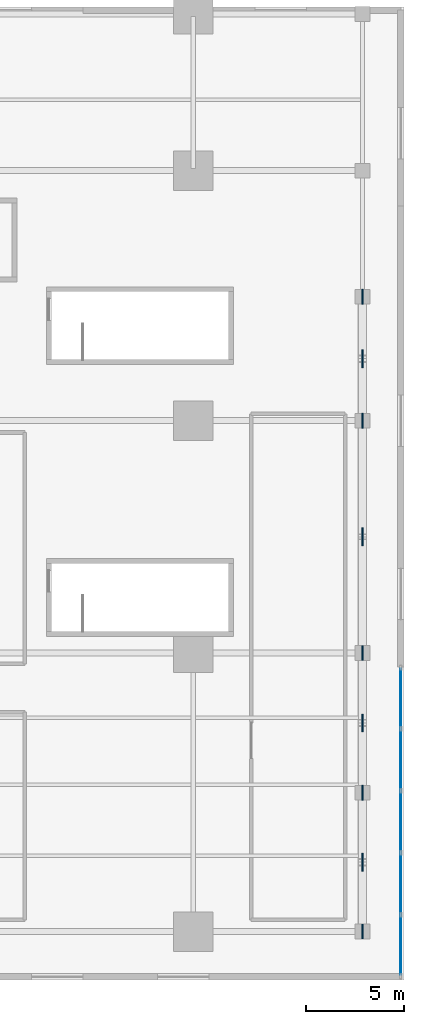
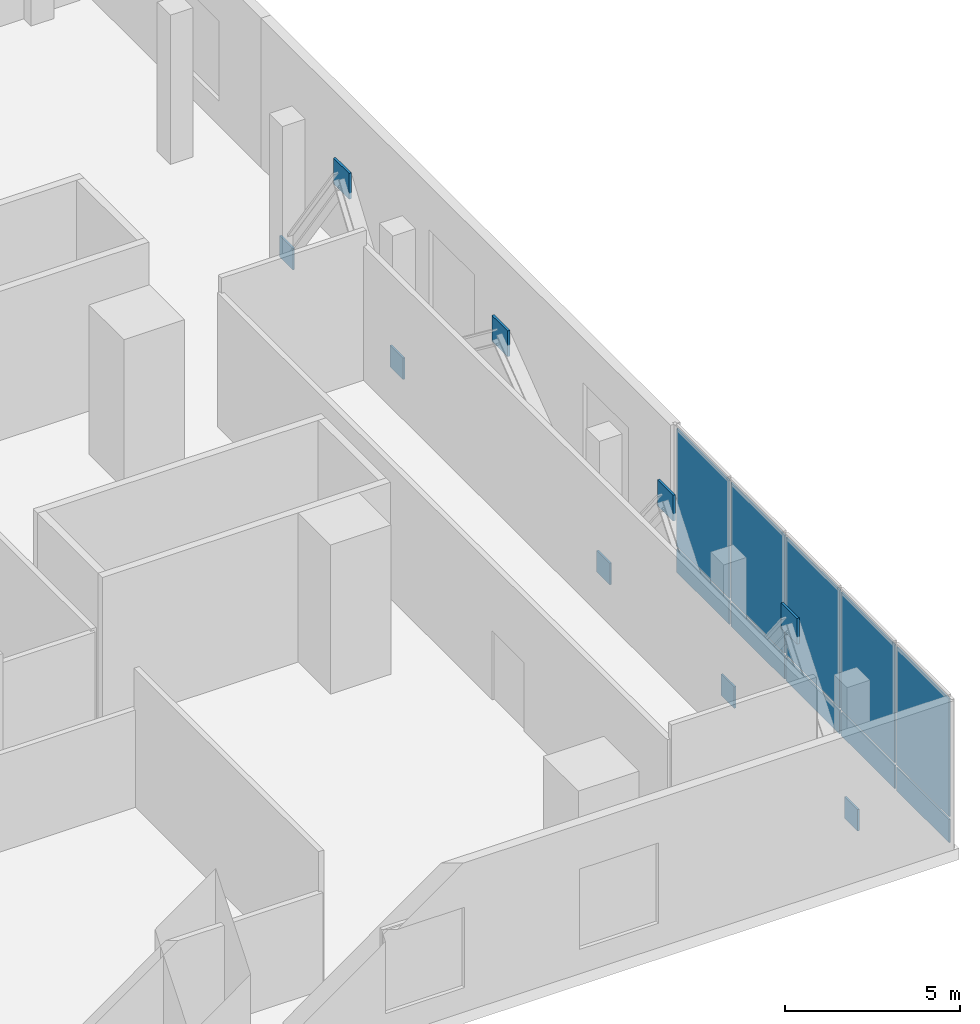
# One storey, part 10 of 17: 19 plates, 1 element without a shape of its own.
"""IFC4 building model written with IfcOpenShell, lengths in metres."""

from ifc_helpers import new_model, si_unit, direction, frame, origin, origin_2d, place, context, subcontext, project, spatial, rectangle, extrude, source, transform, mapped, material, layer, layer_set, type_object, element, aggregate, save


model = new_model("IFC4")

# Units and contexts
model_context = context("Model", 3, precision=1e-05, world=origin(), true_north=direction((0.0, 1.0)))
body_context = subcontext(model_context, "Body", "Model", "MODEL_VIEW")
ifc_project = project(units=[si_unit("LENGTHUNIT", "METRE"), si_unit("AREAUNIT", "SQUARE_METRE"), si_unit("VOLUMEUNIT", "CUBIC_METRE"), si_unit("PLANEANGLEUNIT", "RADIAN"), si_unit("MASSUNIT", "GRAM", prefix="KILO")], contexts=[model_context])

# Site, building, storey
site_placement = place(None, origin())
site = spatial("IfcSite", under=ifc_project, at=site_placement, CompositionType="ELEMENT")
building_placement = place(site_placement, origin())
building = spatial("IfcBuilding", under=site, at=building_placement, Name="Vardaveli Station Tower", CompositionType="ELEMENT")
storey_placement = place(building_placement, frame((0.0, 0.0, 11.39990234375)))
storey = spatial("IfcBuildingStorey", under=building, at=storey_placement, Name="L03", CompositionType="ELEMENT", Elevation=11.39990234375)

# Plates
ifc_material_1 = material(Name="Structural steel S460M", Category="steel")
ifc_layer_1 = layer(ifc_material_1, 0.074951171875, Name="Structural steel S460M")
ifc_layer_set_1 = layer_set([ifc_layer_1], Name="Structural steel S460M")
plate_type_1 = type_object("IfcPlateType", Name="PLT-GUSSET-75", PredefinedType="USERDEFINED", material=ifc_layer_set_1)
shared_shape_1 = source(origin(), body_context, "Body", "SweptSolid", [
    extrude(rectangle(XDim=0.89990234375, YDim=0.074951171875, at=origin_2d()), origin(), (0.0, 0.0, 1.0), 0.89990234375),
])
for number, where, z_axis, x_axis, name in (
    (1, (81.39990234375, 6.47509765625, 4.500244140625), (0.0, 0.0, 1.0), (0.0, 1.0, 0.0), "PLT-TN-05"),
    (2, (81.39990234375, 13.550048828125, 4.500244140625), (0.0, 0.0, 1.0), (0.0, 1.0, 0.0), "PLT-TN-06"),
    (3, (81.39990234375, 23.0, 4.500244140625), (0.0, 0.0, 1.0), (0.0, 1.0, 0.0), "PLT-TN-07"),
    (4, (81.39990234375, 32.050048828125, 4.500244140625), (0.0, 0.0, 1.0), (0.0, 1.0, 0.0), "PLT-TN-08"),
):
    element("IfcPlate", number, at=place(storey_placement, frame(where, z_axis=z_axis, x_axis=x_axis)), inside=storey, type_object=plate_type_1, Name=name, ObjectType="GUSSET PLATE", PredefinedType="USERDEFINED", context=body_context, shape_type="MappedRepresentation", body=[
        mapped(shared_shape_1, transform((0.0, 0.0, 0.0), scale=1.0)),
    ])
ifc_layer_2 = layer(ifc_material_1, 0.06005859375, Name="Structural steel S460M")
ifc_layer_set_2 = layer_set([ifc_layer_2], Name="Structural steel S460M")
plate_type_2 = type_object("IfcPlateType", Name="PLT-GUSSET-60", PredefinedType="USERDEFINED", material=ifc_layer_set_2)
shared_shape_2 = source(origin(), body_context, "Body", "SweptSolid", [
    extrude(rectangle(XDim=0.75, YDim=0.06005859375, at=origin_2d()), origin(), (0.0, 0.0, 1.0), 0.75),
])
for number, where, z_axis, x_axis, name in (
    (5, (81.39990234375, 2.949951171875, 0.0751953125), (0.0, 0.0, 1.0), (0.0, 1.0, 0.0), "PLT-TNB-10"),
    (6, (81.39990234375, 10.0, 0.0751953125), (0.0, 0.0, 1.0), (0.0, 1.0, 0.0), "PLT-TNB-11"),
    (7, (81.39990234375, 17.10009765625, 0.0751953125), (0.0, 0.0, 1.0), (0.0, 1.0, 0.0), "PLT-TNB-12"),
    (8, (81.39990234375, 28.89990234375, 0.0751953125), (0.0, 0.0, 1.0), (0.0, 1.0, 0.0), "PLT-TNB-13"),
    (9, (81.39990234375, 35.199951171875, 0.0751953125), (0.0, 0.0, 1.0), (0.0, 1.0, 0.0), "PLT-TNB-14"),
):
    element("IfcPlate", number, at=place(storey_placement, frame(where, z_axis=z_axis, x_axis=x_axis)), inside=storey, type_object=plate_type_2, Name=name, ObjectType="GUSSET PLATE", PredefinedType="USERDEFINED", context=body_context, shape_type="MappedRepresentation", body=[
        mapped(shared_shape_2, transform((0.0, 0.0, 0.0), scale=1.0)),
    ])

# Curtain wall, plates
ifc_material_2 = material(Name="Travertine stone and solar-control glass", Category="masonry")
curtain_wall_type = type_object("IfcCurtainWallType", Name="CW-SYS-1", PredefinedType="NOTDEFINED", material=ifc_material_2)
curtain_wall_placement = place(storey_placement, origin())
curtain_wall = element("IfcCurtainWall", 10, at=curtain_wall_placement, inside=storey, type_object=curtain_wall_type, Name="CW-L03-E1", PredefinedType="NOTDEFINED")
ifc_material_3 = material(Name="Double-glazed low-E solar-control glass", Category="glass")
ifc_layer_3 = layer(ifc_material_3, 0.048095703125, Name="Double-glazed low-E solar-control glass")
ifc_layer_set_3 = layer_set([ifc_layer_3], Name="Double-glazed low-E solar-control glass")
plate_type_3 = type_object("IfcPlateType", Name="CW-SYS-1-PAN", PredefinedType="CURTAIN_PANEL", material=ifc_layer_set_3)
shared_shape_3 = source(origin(), body_context, "Body", "SweptSolid", [
    extrude(rectangle(XDim=3.007568359375, YDim=0.048095703125, at=origin_2d()), origin(), (0.0, 0.0, 1.0), 0.8076171875),
])
plate_1_placement = place(storey_placement, frame((83.35009765625, 2.248779296875, 0.094970703125), z_axis=(0.0, 0.0, 1.0), x_axis=(0.0, 1.0, 0.0)))
plate_1 = element("IfcPlate", 11, at=plate_1_placement, type_object=plate_type_3, Name="CW-1 panel 1.1", PredefinedType="CURTAIN_PANEL", context=body_context, shape_type="MappedRepresentation", body=[
    mapped(shared_shape_3, transform((0.0, 0.0, 0.0), scale=1.0)),
])
plate_2_placement = place(storey_placement, frame((83.35009765625, 14.80126953125, 0.094970703125), z_axis=(0.0, 0.0, 1.0), x_axis=(0.0, 1.0, 0.0)))
plate_2 = element("IfcPlate", 12, at=plate_2_placement, type_object=plate_type_3, Name="CW-1 panel 5.1", PredefinedType="CURTAIN_PANEL", context=body_context, shape_type="MappedRepresentation", body=[
    mapped(shared_shape_3, transform((0.0, 0.0, 0.0), scale=1.0)),
])
shared_shape_4 = source(origin(), body_context, "Body", "SweptSolid", [
    extrude(rectangle(XDim=3.054931640625, YDim=0.048095703125, at=origin_2d()), origin(), (0.0, 0.0, 1.0), 0.8076171875),
])
plate_3_placement = place(storey_placement, frame((83.35009765625, 5.375, 0.094970703125), z_axis=(0.0, 0.0, 1.0), x_axis=(0.0, 1.0, 0.0)))
plate_3 = element("IfcPlate", 13, at=plate_3_placement, type_object=plate_type_3, Name="CW-1 panel 2.1", PredefinedType="CURTAIN_PANEL", context=body_context, shape_type="MappedRepresentation", body=[
    mapped(shared_shape_4, transform((0.0, 0.0, 0.0), scale=1.0)),
])
plate_4_placement = place(storey_placement, frame((83.35009765625, 8.52490234375, 0.094970703125), z_axis=(0.0, 0.0, 1.0), x_axis=(0.0, 1.0, 0.0)))
plate_4 = element("IfcPlate", 14, at=plate_4_placement, type_object=plate_type_3, Name="CW-1 panel 3.1", PredefinedType="CURTAIN_PANEL", context=body_context, shape_type="MappedRepresentation", body=[
    mapped(shared_shape_4, transform((0.0, 0.0, 0.0), scale=1.0)),
])
plate_5_placement = place(storey_placement, frame((83.35009765625, 11.675048828125, 0.094970703125), z_axis=(0.0, 0.0, 1.0), x_axis=(0.0, 1.0, 0.0)))
plate_5 = element("IfcPlate", 15, at=plate_5_placement, type_object=plate_type_3, Name="CW-1 panel 4.1", PredefinedType="CURTAIN_PANEL", context=body_context, shape_type="MappedRepresentation", body=[
    mapped(shared_shape_4, transform((0.0, 0.0, 0.0), scale=1.0)),
])
shared_shape_5 = source(origin(), body_context, "Body", "SweptSolid", [
    extrude(rectangle(XDim=3.007568359375, YDim=0.048095703125, at=origin_2d()), origin(), (0.0, 0.0, 1.0), 4.107421875),
])
plate_6_placement = place(storey_placement, frame((83.35009765625, 2.248779296875, 0.99755859375), z_axis=(0.0, 0.0, 1.0), x_axis=(0.0, 1.0, 0.0)))
plate_6 = element("IfcPlate", 16, at=plate_6_placement, type_object=plate_type_3, Name="CW-1 panel 1.2", PredefinedType="CURTAIN_PANEL", context=body_context, shape_type="MappedRepresentation", body=[
    mapped(shared_shape_5, transform((0.0, 0.0, 0.0), scale=1.0)),
])
plate_7_placement = place(storey_placement, frame((83.35009765625, 14.80126953125, 0.99755859375), z_axis=(0.0, 0.0, 1.0), x_axis=(0.0, 1.0, 0.0)))
plate_7 = element("IfcPlate", 17, at=plate_7_placement, type_object=plate_type_3, Name="CW-1 panel 5.2", PredefinedType="CURTAIN_PANEL", context=body_context, shape_type="MappedRepresentation", body=[
    mapped(shared_shape_5, transform((0.0, 0.0, 0.0), scale=1.0)),
])
shared_shape_6 = source(origin(), body_context, "Body", "SweptSolid", [
    extrude(rectangle(XDim=3.054931640625, YDim=0.048095703125, at=origin_2d()), origin(), (0.0, 0.0, 1.0), 4.107421875),
])
plate_8_placement = place(storey_placement, frame((83.35009765625, 5.375, 0.99755859375), z_axis=(0.0, 0.0, 1.0), x_axis=(0.0, 1.0, 0.0)))
plate_8 = element("IfcPlate", 18, at=plate_8_placement, type_object=plate_type_3, Name="CW-1 panel 2.2", PredefinedType="CURTAIN_PANEL", context=body_context, shape_type="MappedRepresentation", body=[
    mapped(shared_shape_6, transform((0.0, 0.0, 0.0), scale=1.0)),
])
plate_9_placement = place(storey_placement, frame((83.35009765625, 8.52490234375, 0.99755859375), z_axis=(0.0, 0.0, 1.0), x_axis=(0.0, 1.0, 0.0)))
plate_9 = element("IfcPlate", 19, at=plate_9_placement, type_object=plate_type_3, Name="CW-1 panel 3.2", PredefinedType="CURTAIN_PANEL", context=body_context, shape_type="MappedRepresentation", body=[
    mapped(shared_shape_6, transform((0.0, 0.0, 0.0), scale=1.0)),
])
plate_10_placement = place(storey_placement, frame((83.35009765625, 11.675048828125, 0.99755859375), z_axis=(0.0, 0.0, 1.0), x_axis=(0.0, 1.0, 0.0)))
plate_10 = element("IfcPlate", 20, at=plate_10_placement, type_object=plate_type_3, Name="CW-1 panel 4.2", PredefinedType="CURTAIN_PANEL", context=body_context, shape_type="MappedRepresentation", body=[
    mapped(shared_shape_6, transform((0.0, 0.0, 0.0), scale=1.0)),
])
aggregate(curtain_wall, [plate_1, plate_6, plate_3, plate_8, plate_4, plate_9, plate_5, plate_10, plate_2, plate_7])

save(model, "model.ifc")
